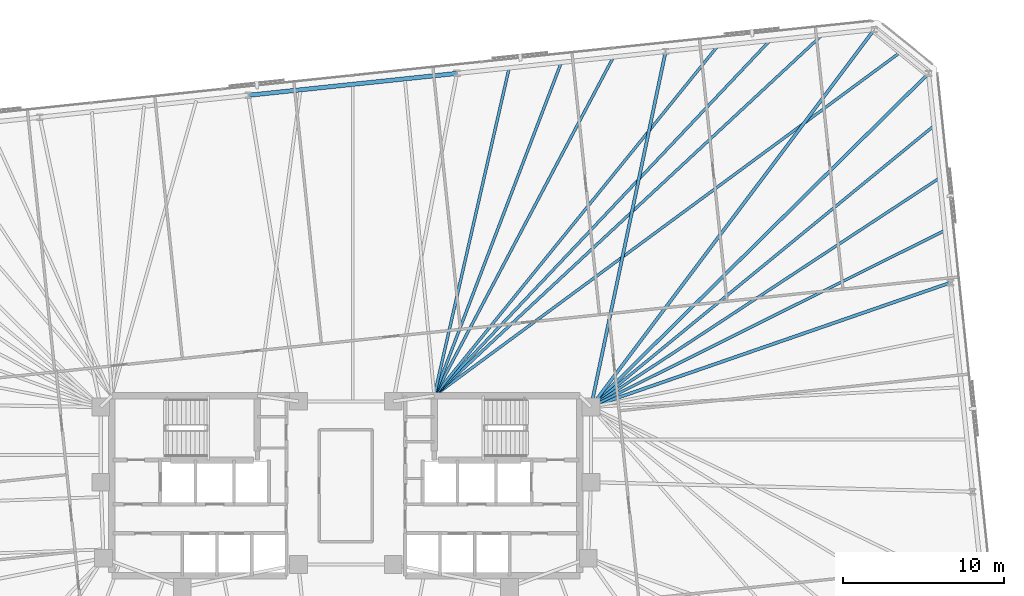
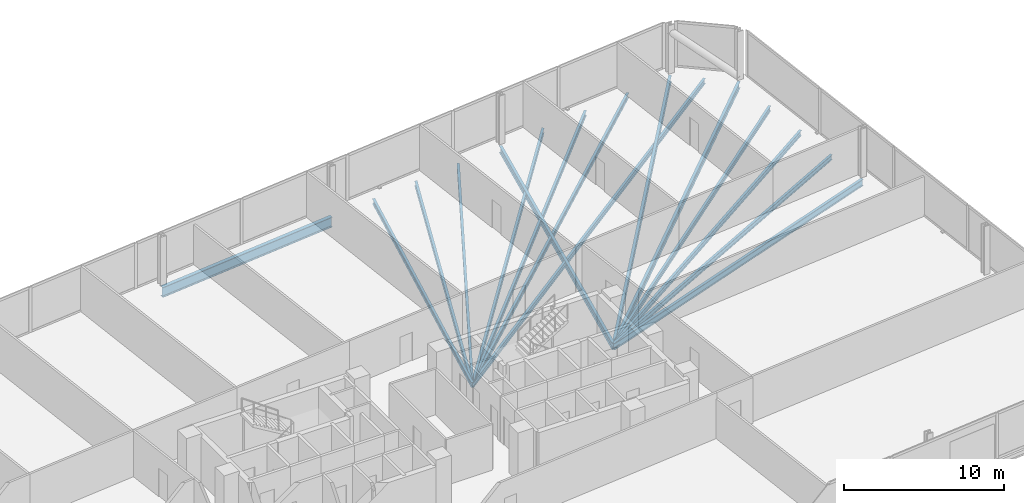
# One storey, part 10 of 18: 15 beams.
"""IFC4 building model written with IfcOpenShell, lengths in metres."""

from ifc_helpers import new_model, si_unit, direction, frame, origin, origin_2d, place, context, subcontext, project, spatial, i_section, extrude, material, material_profile, profile_set, type_object, element, save


model = new_model("IFC4")

# Units and contexts
model_context = context("Model", 3, precision=1e-05, world=origin(), true_north=direction((0.0, 1.0)))
body_context = subcontext(model_context, "Body", "Model", "MODEL_VIEW")
ifc_project = project(units=[si_unit("LENGTHUNIT", "METRE"), si_unit("AREAUNIT", "SQUARE_METRE"), si_unit("VOLUMEUNIT", "CUBIC_METRE"), si_unit("PLANEANGLEUNIT", "RADIAN"), si_unit("MASSUNIT", "GRAM", prefix="KILO")], contexts=[model_context])

# Site, building, storey
site_placement = place(None, origin())
site = spatial("IfcSite", under=ifc_project, at=site_placement, CompositionType="ELEMENT")
building_placement = place(site_placement, origin())
building = spatial("IfcBuilding", under=site, at=building_placement, Name="Menara Jurai Vektor", CompositionType="ELEMENT")
storey_placement = place(building_placement, frame((0.0, 0.0, 128.10009765625)))
storey = spatial("IfcBuildingStorey", under=building, at=storey_placement, Name="L32", CompositionType="ELEMENT", Elevation=128.10009765625)

# Beams
ifc_material_1 = material(Name="Steel S355", Category="steel")
ifc_material_profile_1 = material_profile(ifc_material_1, i_section(OverallWidth=0.199951171875, OverallDepth=0.5, WebThickness=0.011962890625, FlangeThickness=0.02001953125, at=origin_2d()), Name="PG 500x200x96")
ifc_profile_set_1 = profile_set([ifc_material_profile_1], Name="Steel S355")
beam_type_1 = type_object("IfcBeamType", Name="STR-BM-500", PredefinedType="BEAM", material=ifc_profile_set_1)
beam_1_placement = place(storey_placement, frame((37.62060546875, 12.638427734375, -0.47509765625), z_axis=(-0.945053249867, -0.326916434148, 0.0), x_axis=(0.326916434148, -0.945053249867, 0.0)))
element("IfcBeam", 1, at=beam_1_placement, inside=storey, type_object=beam_type_1, Name="Radial Floor Girder L32-E3", PredefinedType="BEAM", context=body_context, shape_type="SweptSolid", body=[
    extrude(i_section(OverallWidth=0.199951171875, OverallDepth=0.5, WebThickness=0.011962890625, FlangeThickness=0.02001953125, at=origin_2d()), origin(), (0.0, 0.0, 1.0), 23.671142578125),
])
beam_2_placement = place(storey_placement, frame((36.252685546875, 25.652099609375, -0.47509765625), z_axis=(-0.711335927547, -0.702852188004, 0.0), x_axis=(0.702852188004, -0.711335927547, 0.0)))
element("IfcBeam", 2, at=beam_2_placement, inside=storey, type_object=beam_type_1, Name="Radial Floor Girder L32-E4", PredefinedType="BEAM", context=body_context, shape_type="SweptSolid", body=[
    extrude(i_section(OverallWidth=0.199951171875, OverallDepth=0.5, WebThickness=0.011962890625, FlangeThickness=0.02001953125, at=origin_2d()), origin(), (0.0, 0.0, 1.0), 29.525634765625),
])
beam_3_placement = place(storey_placement, frame((32.876220703125, 28.38623046875, -0.47509765625), z_axis=(-0.600250057552, -0.799812395758, 0.0), x_axis=(0.799812395758, -0.600250057552, 0.0)))
element("IfcBeam", 3, at=beam_3_placement, inside=storey, type_object=beam_type_1, Name="Radial Floor Girder L32-N1", PredefinedType="BEAM", context=body_context, shape_type="SweptSolid", body=[
    extrude(i_section(OverallWidth=0.199951171875, OverallDepth=0.5, WebThickness=0.011962890625, FlangeThickness=0.02001953125, at=origin_2d()), origin(), (0.0, 0.0, 1.0), 29.36474609375),
])
beam_4_placement = place(storey_placement, frame((19.896728515625, 27.02197265625, -0.47509765625), z_axis=(-0.205563576063, -0.978643763683, 0.0), x_axis=(0.978643763683, -0.205563576063, 0.0)))
element("IfcBeam", 4, at=beam_4_placement, inside=storey, type_object=beam_type_1, Name="Radial Floor Girder L32-N2", PredefinedType="BEAM", context=body_context, shape_type="SweptSolid", body=[
    extrude(i_section(OverallWidth=0.199951171875, OverallDepth=0.5, WebThickness=0.011962890625, FlangeThickness=0.02001953125, at=origin_2d()), origin(), (0.0, 0.0, 1.0), 22.604736328125),
])
ifc_material_profile_2 = material_profile(ifc_material_1, i_section(OverallWidth=0.175048828125, OverallDepth=0.3798828125, WebThickness=0.010009765625, FlangeThickness=0.014892578125, at=origin_2d()), Name="PG 380x175x58")
ifc_profile_set_2 = profile_set([ifc_material_profile_2], Name="Steel S355")
beam_type_2 = type_object("IfcBeamType", Name="STR-JS-380", PredefinedType="JOIST", material=ifc_profile_set_2)
beam_5_placement = place(storey_placement, frame((37.278564453125, 15.891845703125, -0.4150390625), z_axis=(-0.894789854106, -0.446487532849, 0.0), x_axis=(0.446487532849, -0.894789854106, 0.0)))
element("IfcBeam", 5, at=beam_5_placement, inside=storey, type_object=beam_type_2, Name="Radial Secondary Floor Joist L32-JS16", PredefinedType="JOIST", context=body_context, shape_type="SweptSolid", body=[
    extrude(i_section(OverallWidth=0.175048828125, OverallDepth=0.3798828125, WebThickness=0.010009765625, FlangeThickness=0.014892578125, at=origin_2d()), origin(), (0.0, 0.0, 1.0), 24.61865234375),
])
beam_6_placement = place(storey_placement, frame((36.936767578125, 19.145263671875, -0.4150390625), z_axis=(-0.835810585743, -0.549017909326, 0.0), x_axis=(0.549017909326, -0.835810585743, 0.0)))
element("IfcBeam", 6, at=beam_6_placement, inside=storey, type_object=beam_type_2, Name="Radial Secondary Floor Joist L32-JS17", PredefinedType="JOIST", context=body_context, shape_type="SweptSolid", body=[
    extrude(i_section(OverallWidth=0.175048828125, OverallDepth=0.3798828125, WebThickness=0.010009765625, FlangeThickness=0.014892578125, at=origin_2d()), origin(), (0.0, 0.0, 1.0), 25.947021484375),
])
beam_7_placement = place(storey_placement, frame((36.5947265625, 22.398681640625, -0.4150390625), z_axis=(-0.773337004811, -0.63399517111, 0.0), x_axis=(0.63399517111, -0.773337004811, 0.0)))
element("IfcBeam", 7, at=beam_7_placement, inside=storey, type_object=beam_type_2, Name="Radial Secondary Floor Joist L32-JS18", PredefinedType="JOIST", context=body_context, shape_type="SweptSolid", body=[
    extrude(i_section(OverallWidth=0.175048828125, OverallDepth=0.3798828125, WebThickness=0.010009765625, FlangeThickness=0.014892578125, at=origin_2d()), origin(), (0.0, 0.0, 1.0), 27.600830078125),
])
beam_8_placement = place(storey_placement, frame((34.564453125, 27.01904296875, -0.4150390625), z_axis=(-0.805015724179, -0.593253473504, 0.0), x_axis=(0.593253473504, -0.805015724179, 0.0)))
element("IfcBeam", 8, at=beam_8_placement, inside=storey, type_object=beam_type_2, Name="Radial Secondary Floor Joist L32-JS19", PredefinedType="JOIST", context=body_context, shape_type="SweptSolid", body=[
    extrude(i_section(OverallWidth=0.175048828125, OverallDepth=0.3798828125, WebThickness=0.010009765625, FlangeThickness=0.014892578125, at=origin_2d()), origin(), (0.0, 0.0, 1.0), 36.104248046875),
])
beam_9_placement = place(storey_placement, frame((29.63134765625, 28.045166015625, -0.4150390625), z_axis=(-0.732227546694, -0.681060070671, 0.0), x_axis=(0.681060070671, -0.732227546694, 0.0)))
element("IfcBeam", 9, at=beam_9_placement, inside=storey, type_object=beam_type_2, Name="Radial Secondary Floor Joist L32-JS20", PredefinedType="JOIST", context=body_context, shape_type="SweptSolid", body=[
    extrude(i_section(OverallWidth=0.175048828125, OverallDepth=0.3798828125, WebThickness=0.010009765625, FlangeThickness=0.014892578125, at=origin_2d()), origin(), (0.0, 0.0, 1.0), 32.9560546875),
])
beam_10_placement = place(storey_placement, frame((26.386474609375, 27.7041015625, -0.4150390625), z_axis=(-0.686805497462, -0.726841254096, 0.0), x_axis=(0.726841254096, -0.686805497462, 0.0)))
element("IfcBeam", 10, at=beam_10_placement, inside=storey, type_object=beam_type_2, Name="Radial Secondary Floor Joist L32-JS21", PredefinedType="JOIST", context=body_context, shape_type="SweptSolid", body=[
    extrude(i_section(OverallWidth=0.175048828125, OverallDepth=0.3798828125, WebThickness=0.010009765625, FlangeThickness=0.014892578125, at=origin_2d()), origin(), (0.0, 0.0, 1.0), 30.4111328125),
])
beam_11_placement = place(storey_placement, frame((23.1416015625, 27.363037109375, -0.4150390625), z_axis=(-0.629715269624, -0.776826028917, 0.0), x_axis=(0.776826028917, -0.629715269624, 0.0)))
element("IfcBeam", 11, at=beam_11_placement, inside=storey, type_object=beam_type_2, Name="Radial Secondary Floor Joist L32-JS22", PredefinedType="JOIST", context=body_context, shape_type="SweptSolid", body=[
    extrude(i_section(OverallWidth=0.175048828125, OverallDepth=0.3798828125, WebThickness=0.010009765625, FlangeThickness=0.014892578125, at=origin_2d()), origin(), (0.0, 0.0, 1.0), 28.01513671875),
])
beam_12_placement = place(storey_placement, frame((16.651611328125, 26.680908203125, -0.4150390625), z_axis=(-0.467598899237, -0.883940761268, 0.0), x_axis=(0.883940761268, -0.467598899237, 0.0)))
element("IfcBeam", 12, at=beam_12_placement, inside=storey, type_object=beam_type_2, Name="Radial Secondary Floor Joist L32-JS23", PredefinedType="JOIST", context=body_context, shape_type="SweptSolid", body=[
    extrude(i_section(OverallWidth=0.175048828125, OverallDepth=0.3798828125, WebThickness=0.010009765625, FlangeThickness=0.014892578125, at=origin_2d()), origin(), (0.0, 0.0, 1.0), 23.8486328125),
])
beam_13_placement = place(storey_placement, frame((13.40673828125, 26.33984375, -0.4150390625), z_axis=(-0.3562267616, -0.934399536772, 0.0), x_axis=(0.934399536772, -0.3562267616, 0.0)))
element("IfcBeam", 13, at=beam_13_placement, inside=storey, type_object=beam_type_2, Name="Radial Secondary Floor Joist L32-JS24", PredefinedType="JOIST", context=body_context, shape_type="SweptSolid", body=[
    extrude(i_section(OverallWidth=0.175048828125, OverallDepth=0.3798828125, WebThickness=0.010009765625, FlangeThickness=0.014892578125, at=origin_2d()), origin(), (0.0, 0.0, 1.0), 22.19580078125),
])
beam_14_placement = place(storey_placement, frame((10.161865234375, 25.998779296875, -0.4150390625), z_axis=(-0.222793437271, -0.974865675008, 0.0), x_axis=(0.974865675008, -0.222793437271, 0.0)))
element("IfcBeam", 14, at=beam_14_placement, inside=storey, type_object=beam_type_2, Name="Radial Secondary Floor Joist L32-JS25", PredefinedType="JOIST", context=body_context, shape_type="SweptSolid", body=[
    extrude(i_section(OverallWidth=0.175048828125, OverallDepth=0.3798828125, WebThickness=0.010009765625, FlangeThickness=0.014892578125, at=origin_2d()), origin(), (0.0, 0.0, 1.0), 20.924560546875),
])
ifc_material_2 = material(Name="Steel S460", Category="steel")
ifc_material_profile_3 = material_profile(ifc_material_2, i_section(OverallWidth=0.26806640625, OverallDepth=0.77001953125, WebThickness=0.01611328125, FlangeThickness=0.02490234375, FilletRadius=0.01708984375, at=origin_2d()), Name="UKB 762x267x197")
ifc_profile_set_3 = profile_set([ifc_material_profile_3], Name="Steel S460")
beam_type_3 = type_object("IfcBeamType", Name="STR-SP-762", PredefinedType="SPANDREL", material=ifc_profile_set_3)
beam_15_placement = place(storey_placement, frame((6.9169921875, 25.65771484375, -0.610107421875), z_axis=(-0.994521431679, -0.104532874882, 0.0), x_axis=(0.104532874882, -0.994521431679, 0.0)))
element("IfcBeam", 15, at=beam_15_placement, inside=storey, type_object=beam_type_3, Name="Exoskeleton Spandrel Beam L32-13", PredefinedType="SPANDREL", context=body_context, shape_type="SweptSolid", body=[
    extrude(i_section(OverallWidth=0.26806640625, OverallDepth=0.77001953125, WebThickness=0.01611328125, FlangeThickness=0.02490234375, FilletRadius=0.01708984375, at=origin_2d()), origin(), (0.0, 0.0, 1.0), 13.051025390625),
])

save(model, "model.ifc")
